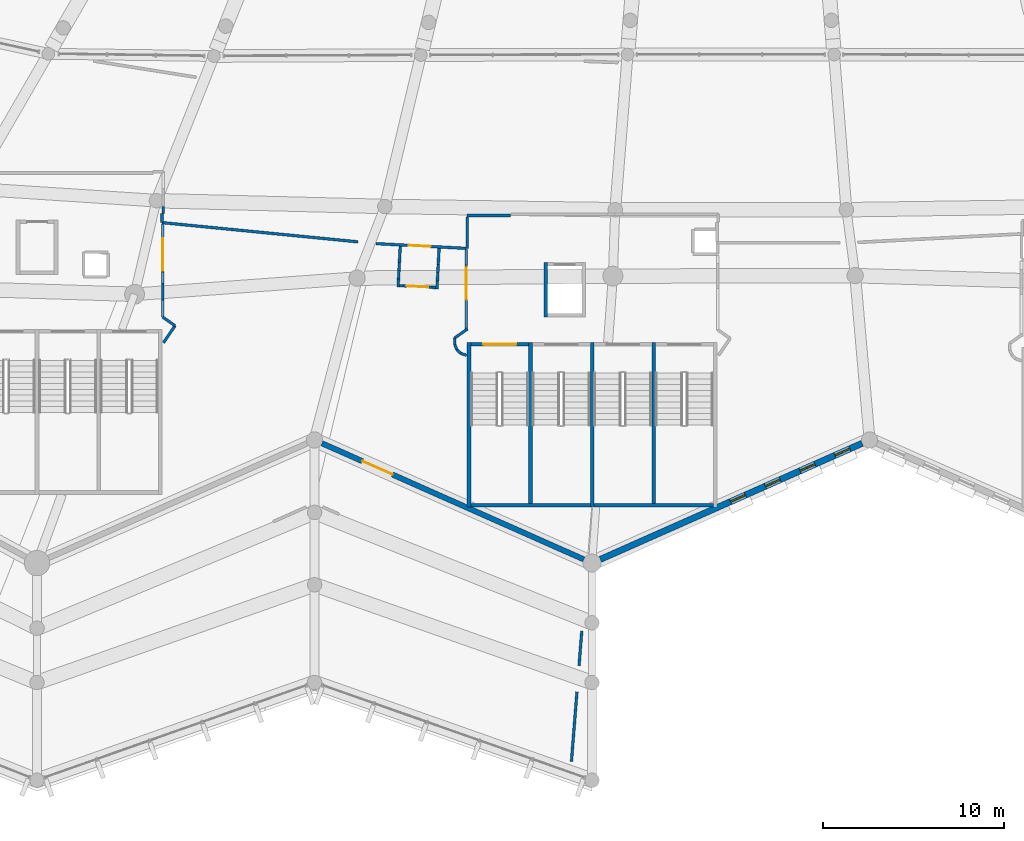
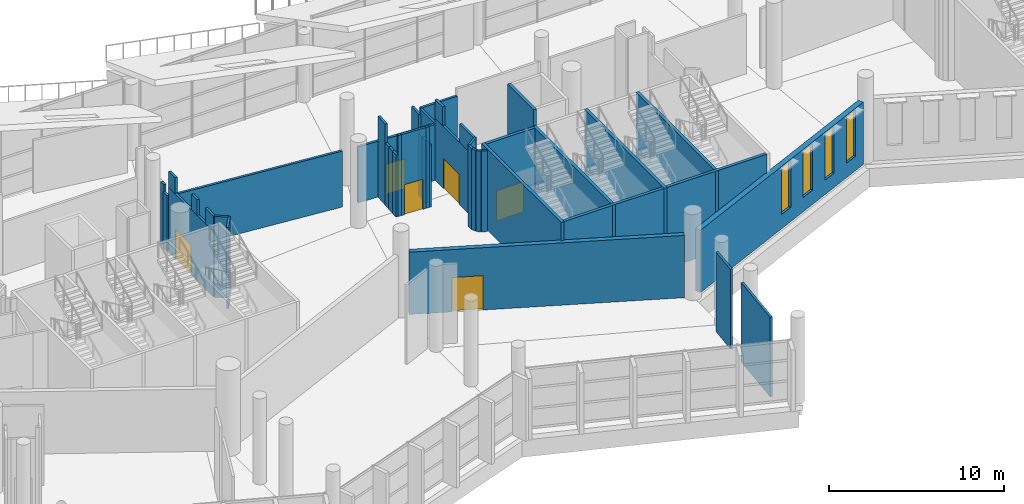
# One storey, part 142 of 249: 43 walls, 6 doors, 4 windows, 10 openings.
"""IFC4 building model written with IfcOpenShell, lengths in metres."""

import ifcopenshell
import ifcopenshell.guid

model = None  # the IFC model being written
_history = None  # IfcOwnerHistory: only IFC2X3 demands one
_inside = {}  # id of a spatial element -> (the spatial element, [elements in it])
_under = {}  # id of a project, library or spatial element -> (it, [spatial elements below it])
_declared = {}  # id of a project -> (the project, [libraries it declares])
_typed = {}  # id of a type object -> (the type object, [elements of that type])
_made_of = {}  # id of a material, layer set ... -> (it, [elements and type objects made of it])


def new_model(schema):
    """Start an empty IFC model of exactly this schema.

    Asked for "IFC4X3", IfcOpenShell would pick the latest addendum, in which some entities
    have other attributes; the version numbers below select the first issue.
    IFC2X3 requires an IfcOwnerHistory on every rooted entity: one is made here for all.
    """
    global model, _history
    if schema == "IFC4X3":
        model = ifcopenshell.file(schema_version=(4, 3, 0, 0))
    else:
        model = ifcopenshell.file(schema=schema)
    _inside.clear()
    _under.clear()
    _declared.clear()
    _typed.clear()
    _made_of.clear()
    _history = None
    if model.schema == "IFC2X3":
        org = make("IfcOrganization", Name="unknown")
        user = make(
            "IfcPersonAndOrganization",
            ThePerson=make("IfcPerson", FamilyName="unknown"),
            TheOrganization=org,
        )
        app = make(
            "IfcApplication",
            ApplicationDeveloper=org,
            Version="unknown",
            ApplicationFullName="unknown",
            ApplicationIdentifier="unknown",
        )
        _history = make(
            "IfcOwnerHistory",
            OwningUser=user,
            OwningApplication=app,
            ChangeAction="ADDED",
            CreationDate=0,
        )
    return model


def make(cls, **values):
    """One entity of the class cls with the attributes given. An attribute that is None is left unset."""
    return model.create_entity(
        cls, **{name: value for name, value in values.items() if value is not None}
    )


def rooted(cls, **values):
    """An entity with a GlobalId (a new one), such as an element, a storey or a relation."""
    return make(cls, GlobalId=ifcopenshell.guid.new(), OwnerHistory=_history, **values)


def si_unit(unit_type, name, prefix=None):
    """IfcSIUnit, for example si_unit("LENGTHUNIT", "METRE", prefix="MILLI")."""
    return make("IfcSIUnit", UnitType=unit_type, Prefix=prefix, Name=name)


def assignment(units):
    """IfcUnitAssignment: the units of a project."""
    return None if units is None else make("IfcUnitAssignment", Units=units)


def point(xyz):
    """IfcCartesianPoint."""
    return None if xyz is None else make("IfcCartesianPoint", Coordinates=xyz)


def direction(xyz):
    """IfcDirection."""
    return None if xyz is None else make("IfcDirection", DirectionRatios=xyz)


def frame(location, z_axis=None, x_axis=None):
    """IfcAxis2Placement3D, a coordinate frame: its origin and axes. An axis left out is left unset."""
    return make(
        "IfcAxis2Placement3D",
        Location=point(location),
        Axis=direction(z_axis),
        RefDirection=direction(x_axis),
    )


def frame_2d(location, x_axis=None):
    """IfcAxis2Placement2D, a coordinate frame in the plane: its origin and x axis."""
    return make(
        "IfcAxis2Placement2D", Location=point(location), RefDirection=direction(x_axis)
    )


def origin():
    """The frame at (0, 0, 0) with its axes left unset."""
    return frame((0.0, 0.0, 0.0))


def place(relative_to, where):
    """IfcLocalPlacement: puts the frame where relative to a parent placement (None: the world)."""
    return make(
        "IfcLocalPlacement", PlacementRelTo=relative_to, RelativePlacement=where
    )


def context(
    kind, dimensions, precision=None, world=None, true_north=None, identifier=None
):
    """IfcGeometricRepresentationContext, for example the 3D "Model" context."""
    return make(
        "IfcGeometricRepresentationContext",
        ContextIdentifier=identifier,
        ContextType=kind,
        CoordinateSpaceDimension=dimensions,
        Precision=precision,
        WorldCoordinateSystem=world,
        TrueNorth=true_north,
    )


def subcontext(parent, identifier, kind, view, scale=None):
    """IfcGeometricRepresentationSubContext, for example "Body" below "Model"."""
    return make(
        "IfcGeometricRepresentationSubContext",
        ContextIdentifier=identifier,
        ContextType=kind,
        ParentContext=parent,
        TargetScale=scale,
        TargetView=view,
    )


def project(units=None, contexts=None):
    """IfcProject with its units and contexts."""
    return rooted(
        "IfcProject",
        Name="project",
        RepresentationContexts=contexts,
        UnitsInContext=assignment(units),
    )


def spatial(cls, under=None, at=None, **own):
    """A site, building, storey or space (cls), placed at a placement, below another one or the project."""
    s = rooted(cls, ObjectPlacement=at, **own)
    if under is not None:
        _under.setdefault(under.id(), (under, []))[1].append(s)
    return s


def profile(cls, at=None, kind="AREA", **sizes):
    """A parametric profile (cls). Its sizes go by their IFC names, for example OverallWidth=200.0."""
    return make(cls, ProfileType=kind, Position=at, **sizes)


def rectangle(**sizes):
    """IfcRectangleProfileDef."""
    return profile("IfcRectangleProfileDef", **sizes)


def extrude(swept, where, along, depth):
    """IfcExtrudedAreaSolid: the profile swept, set in the frame where, extruded along a direction by depth."""
    return make(
        "IfcExtrudedAreaSolid",
        SweptArea=swept,
        Position=where,
        ExtrudedDirection=direction(along),
        Depth=depth,
    )


def shape(context_of_items, identifier, shape_type, items):
    """IfcShapeRepresentation: the items that make up one representation, for example the "Body"."""
    return make(
        "IfcShapeRepresentation",
        ContextOfItems=context_of_items,
        RepresentationIdentifier=identifier,
        RepresentationType=shape_type,
        Items=items,
    )


def material(Name=None, Category=None):
    """IfcMaterial."""
    return make("IfcMaterial", Name=Name, Category=Category)


def layer(
    of_material, thickness, ventilated=None, Name=None, Category=None, Priority=None
):
    """IfcMaterialLayer: one layer of a wall or slab, of a material (None: an air gap)."""
    return make(
        "IfcMaterialLayer",
        Material=of_material,
        LayerThickness=thickness,
        IsVentilated=ventilated,
        Name=Name,
        Category=Category,
        Priority=Priority,
    )


def layer_set(layers, Name=None):
    """IfcMaterialLayerSet."""
    return make("IfcMaterialLayerSet", MaterialLayers=layers, LayerSetName=Name)


def made_of(thing, what):
    """Note that an element or type object is made of a material, layer set ...; save() writes the relation."""
    if what is not None:
        _made_of.setdefault(what.id(), (what, []))[1].append(thing)
    return thing


def type_object(cls, material=None, **own):
    """A type object (cls), such as IfcWallType, which elements share."""
    return made_of(rooted(cls, **own), material)


def element(
    cls,
    number,
    at=None,
    inside=None,
    cuts=None,
    type_object=None,
    material=None,
    context=None,
    identifier="Body",
    shape_type=None,
    held_by="IfcProductDefinitionShape",
    body=None,
    shapes=None,
    **own,
):
    """One element of the class cls, such as IfcWall. Its Tag is "e" and its number.

    at: its placement. inside: the storey or other place that contains it. cuts: it is an
    opening in that element (IfcRelVoidsElement). A single representation is given by context,
    identifier, shape_type and body (its items); several are given by shapes. held_by: the class
    of the entity that holds the representations. save() writes the other relations.
    """
    e = rooted(cls, Tag="e%d" % number, ObjectPlacement=at, **own)
    if body is not None:
        shapes = [shape(context, identifier, shape_type, body)]
    if shapes is not None:
        e.Representation = make(held_by, Representations=shapes)
    if inside is not None:
        _inside.setdefault(inside.id(), (inside, []))[1].append(e)
    if cuts is not None:
        rooted(
            "IfcRelVoidsElement", RelatingBuildingElement=cuts, RelatedOpeningElement=e
        )
    if type_object is not None:
        _typed.setdefault(type_object.id(), (type_object, []))[1].append(e)
    return made_of(e, material)


def fill(opening, filler):
    """IfcRelFillsElement: the door or window that sits in an opening."""
    return rooted(
        "IfcRelFillsElement",
        RelatingOpeningElement=opening,
        RelatedBuildingElement=filler,
    )


def aggregate(whole, parts):
    """IfcRelAggregates: a whole, such as a stair, and the parts it consists of."""
    return rooted("IfcRelAggregates", RelatingObject=whole, RelatedObjects=parts)


def save(model, path):
    """Write the relations noted so far, then the file.

    IfcRelAggregates (storeys below a building ...), IfcRelContainedInSpatialStructure (elements
    in a storey), IfcRelDefinesByType, IfcRelAssociatesMaterial and IfcRelDeclares: one each for
    every whole, place, type object, material and project.
    """
    for whole, parts in _under.values():
        aggregate(whole, parts)
    for where, things in _inside.values():
        rooted(
            "IfcRelContainedInSpatialStructure",
            RelatedElements=things,
            RelatingStructure=where,
        )
    for kind, things in _typed.values():
        rooted("IfcRelDefinesByType", RelatedObjects=things, RelatingType=kind)
    for what, things in _made_of.values():
        rooted("IfcRelAssociatesMaterial", RelatedObjects=things, RelatingMaterial=what)
    for by, libraries in _declared.values():
        rooted("IfcRelDeclares", RelatingContext=by, RelatedDefinitions=libraries)
    model.write(path)


model = new_model("IFC4")

# Units and contexts
model_context = context("Model", 3, precision=1e-05, world=origin(), true_north=direction((0.0, 1.0)))
body_context = subcontext(model_context, "Body", "Model", "MODEL_VIEW")
ifc_project = project(units=[si_unit("LENGTHUNIT", "METRE"), si_unit("AREAUNIT", "SQUARE_METRE"), si_unit("VOLUMEUNIT", "CUBIC_METRE"), si_unit("PLANEANGLEUNIT", "RADIAN"), si_unit("MASSUNIT", "GRAM", prefix="KILO")], contexts=[model_context])

# Site, building, storey
site_placement = place(None, origin())
site = spatial("IfcSite", under=ifc_project, at=site_placement, CompositionType="ELEMENT")
building_placement = place(site_placement, origin())
building = spatial("IfcBuilding", under=site, at=building_placement, Name="Meseta Stadium", CompositionType="ELEMENT")
storey_placement = place(building_placement, frame((0.0, 0.0, 12.0)))
storey = spatial("IfcBuildingStorey", under=building, at=storey_placement, Name="L02", CompositionType="ELEMENT", Elevation=12.0)

# Walls
ifc_material_1 = material(Name="Concrete C40/50", Category="concrete")
ifc_layer_1 = layer(ifc_material_1, 0.199951171875)
ifc_layer_set_1 = layer_set([ifc_layer_1], Name="Core divider wall 200")
wall_type_1 = type_object("IfcWallType", Name="Core divider wall 200", PredefinedType="SHEAR", material=ifc_layer_set_1)
for number, where, z_axis, x_axis, name in (
    (1, (-11.066650390625, -102.300048828125, 0.0), (0.0, 0.0, 1.0), (0.0, 1.0, 0.0), "Core 24 L02 stair A divider wall"),
    (2, (-4.2666015625, -102.300048828125, 0.0), (0.0, 0.0, 1.0), (0.0, 1.0, 0.0), "Core 24 L02 stair B divider wall"),
):
    element("IfcWall", number, at=place(storey_placement, frame(where, z_axis=z_axis, x_axis=x_axis)), inside=storey, type_object=wall_type_1, Name=name, PredefinedType="SHEAR", context=body_context, shape_type="SweptSolid", body=[
        extrude(rectangle(XDim=9.10009765625, YDim=0.199951171875, at=frame_2d((4.550048828125, 0.0))), origin(), (0.0, 0.0, 1.0), 5.64990234375),
    ])
ifc_material_2 = material(Name="Concrete C40/50", Category="concrete")
ifc_layer_2 = layer(ifc_material_2, 0.199951171875)
ifc_layer_set_2 = layer_set([ifc_layer_2], Name="Core shaft wall 200")
wall_type_2 = type_object("IfcWallType", Name="Core shaft wall 200", PredefinedType="SHEAR", material=ifc_layer_set_2)
for number, where, z_axis, x_axis, name in (
    (3, (-14.466796875, -102.300048828125, 0.0), (0.0, 0.0, 1.0), (0.0, 1.0, 0.0), "Core 24 L02 stair wall A-side"),
    (4, (-7.666748046875, -102.300048828125, 0.0), (0.0, 0.0, 1.0), (0.0, 1.0, 0.0), "Core 24 L02 stair wall shared"),
):
    element("IfcWall", number, at=place(storey_placement, frame(where, z_axis=z_axis, x_axis=x_axis)), inside=storey, type_object=wall_type_2, Name=name, PredefinedType="SHEAR", context=body_context, shape_type="SweptSolid", body=[
        extrude(rectangle(XDim=9.10009765625, YDim=0.199951171875, at=frame_2d((4.550048828125, 0.0))), origin(), (0.0, 0.0, 1.0), 5.64990234375),
    ])
wall_1_placement = place(storey_placement, frame((-14.36669921875, -102.199951171875, 0.0), z_axis=(0.0, 0.0, 1.0), x_axis=(1.0, 0.0, 0.0)))
element("IfcWall", 5, at=wall_1_placement, inside=storey, type_object=wall_type_2, Name="Core 24 L02 stair A outer end wall", PredefinedType="SHEAR", context=body_context, shape_type="SweptSolid", body=[
    extrude(rectangle(XDim=6.60009765625, YDim=0.199951171875, at=frame_2d((3.300048828125, 0.0))), origin(), (0.0, 0.0, 1.0), 5.64990234375),
])
wall_2_placement = place(storey_placement, frame((-7.566650390625, -102.199951171875, 0.0), z_axis=(0.0, 0.0, 1.0), x_axis=(1.0, 0.0, 0.0)))
element("IfcWall", 6, at=wall_2_placement, inside=storey, type_object=wall_type_2, Name="Core 24 L02 stair B outer end wall", PredefinedType="SHEAR", context=body_context, shape_type="SweptSolid", body=[
    extrude(rectangle(XDim=6.599853515625, YDim=0.199951171875, at=frame_2d((3.2998046875, 0.0))), origin(), (0.0, 0.0, 1.0), 5.64990234375),
])

# Wall, opening, door
wall_3_placement = place(storey_placement, frame((-14.36669921875, -93.300048828125, 0.0), z_axis=(0.0, 0.0, 1.0), x_axis=(1.0, 0.0, 0.0)))
wall_3 = element("IfcWall", 7, at=wall_3_placement, inside=storey, type_object=wall_type_2, Name="Core 24 L02 stair A1 inner end wall", PredefinedType="SHEAR", context=body_context, shape_type="SweptSolid", body=[
    extrude(rectangle(XDim=3.199951171875, YDim=0.199951171875, at=frame_2d((1.60009765625, 0.0))), origin(), (0.0, 0.0, 1.0), 5.64990234375),
])
opening_1_placement = place(wall_3_placement, frame((0.699951171875, 0.0, 0.0)))
opening_1 = element("IfcOpeningElement", 8, at=opening_1_placement, cuts=wall_3, Name="Opening D1118", PredefinedType="OPENING", context=body_context, shape_type="SweptSolid", body=[
    extrude(rectangle(XDim=1.800048828125, YDim=2.10009765625, at=frame_2d((0.89990234375, 1.050048828125))), frame((0.0, 0.10986328125, 0.0), z_axis=(0.0, -1.0, 0.0), x_axis=(1.0, 0.0, 0.0)), (0.0, 0.0, 1.0), 0.219970703125),
])
ifc_material_3 = material(Name="Steel", Category="steel")
door_type_1 = type_object("IfcDoorType", Name="Stair door 1800x2100", OperationType="DOUBLE_DOOR_SINGLE_SWING", PredefinedType="DOOR", material=ifc_material_3)
door_1_placement = place(opening_1_placement, origin())
door_1 = element("IfcDoor", 9, at=door_1_placement, inside=storey, type_object=door_type_1, Name="Stair A1 door 24 L02", OperationType="DOUBLE_DOOR_SINGLE_SWING", OverallHeight=2.10009765625, OverallWidth=1.800048828125, PredefinedType="DOOR", context=body_context, shape_type="SweptSolid", body=[
    extrude(rectangle(XDim=1.800048828125, YDim=2.10009765625, at=frame_2d((0.89990234375, 1.050048828125))), frame((0.0, 0.02490234375, 0.0), z_axis=(0.0, -1.0, 0.0), x_axis=(1.0, 0.0, 0.0)), (0.0, 0.0, 1.0), 0.050048828125),
])
fill(opening_1, door_1)

# Walls
wall_4_placement = place(storey_placement, frame((-10.216796875, -91.800048828125, 0.0), z_axis=(0.0, 0.0, 1.0), x_axis=(0.0, 1.0, 0.0)))
element("IfcWall", 10, at=wall_4_placement, inside=storey, type_object=wall_type_2, Name="Core 24 L02 lift shaft wall left", PredefinedType="SHEAR", context=body_context, shape_type="SweptSolid", body=[
    extrude(rectangle(XDim=3.0, YDim=0.199951171875, at=frame_2d((1.5, 0.0))), origin(), (0.0, 0.0, 1.0), 5.64990234375),
])
ifc_material_4 = material(Name="Masonry blockwork", Category="masonry")
ifc_layer_3 = layer(ifc_material_4, 0.14990234375)
ifc_layer_set_3 = layer_set([ifc_layer_3], Name="Partition 150")
wall_type_3 = type_object("IfcWallType", Name="Partition 150", PredefinedType="PARTITIONING", material=ifc_layer_set_3)
wall_5_placement = place(storey_placement, frame((-12.16845703125, -86.199951171875, 0.0), z_axis=(0.0, 0.0, 1.0), x_axis=(-1.0, 0.0, 0.0)))
element("IfcWall", 11, at=wall_5_placement, inside=storey, type_object=wall_type_3, Name="Partition L02 L02-cell22-0-0", PredefinedType="PARTITIONING", context=body_context, shape_type="SweptSolid", body=[
    extrude(rectangle(XDim=2.398193359375, YDim=0.14990234375, at=frame_2d((1.19921875, 0.0))), origin(), (0.0, 0.0, 1.0), 3.906982421875),
])
wall_6_placement = place(storey_placement, frame((-14.566650390625, -86.27490234375, 0.0), z_axis=(0.0, 0.0, 1.0), x_axis=(0.0, -1.0, 0.0)))
element("IfcWall", 12, at=wall_6_placement, inside=storey, type_object=wall_type_3, Name="Partition L02 L02-cell22-0-0", PredefinedType="PARTITIONING", context=body_context, shape_type="SweptSolid", body=[
    extrude(rectangle(XDim=1.740966796875, YDim=0.14990234375, at=frame_2d((0.87060546875, 0.0))), origin(), (0.0, 0.0, 1.0), 3.906982421875),
])

# Wall, opening, door
wall_7_placement = place(storey_placement, frame((-14.6416015625, -88.01171875, 0.0), z_axis=(0.0, 0.0, 1.0), x_axis=(-0.998613893233, 0.052633565738, 0.0)))
wall_7 = element("IfcWall", 13, at=wall_7_placement, inside=storey, type_object=wall_type_3, Name="Partition L02 L02-cell22-0-0", PredefinedType="PARTITIONING", context=body_context, shape_type="SweptSolid", body=[
    extrude(rectangle(XDim=4.972412109375, YDim=0.14990234375, at=frame_2d((2.486328125, 0.0))), origin(), (0.0, 0.0, 1.0), 3.906982421875),
])
opening_2_placement = place(wall_7_placement, frame((1.949951171875, 0.0, 0.0)))
opening_2 = element("IfcOpeningElement", 14, at=opening_2_placement, cuts=wall_7, Name="Opening D1116", PredefinedType="OPENING", context=body_context, shape_type="SweptSolid", body=[
    extrude(rectangle(XDim=1.199951171875, YDim=2.10009765625, at=frame_2d((0.60009765625, 1.050048828125))), frame((0.0, 0.0849609375, 0.0), z_axis=(0.0, -1.0, 0.0), x_axis=(1.0, 0.0, 0.0)), (0.0, 0.0, 1.0), 0.169921875),
])
ifc_material_5 = material(Name="Steel", Category="steel")
door_type_2 = type_object("IfcDoorType", Name="Fire door 1200x2100 EI2 60", OperationType="NOTDEFINED", PredefinedType="DOOR", material=ifc_material_5)
door_2_placement = place(opening_2_placement, origin())
door_2 = element("IfcDoor", 15, at=door_2_placement, inside=storey, type_object=door_type_2, Name="Room door L02 L02-cell22-0-0", OperationType="SINGLE_SWING_RIGHT", OverallHeight=2.10009765625, OverallWidth=1.199951171875, PredefinedType="DOOR", context=body_context, shape_type="SweptSolid", body=[
    extrude(rectangle(XDim=1.199951171875, YDim=2.10009765625, at=frame_2d((0.60009765625, 1.050048828125))), frame((0.0, 0.02490234375, 0.0), z_axis=(0.0, -1.0, 0.0), x_axis=(1.0, 0.0, 0.0)), (0.0, 0.0, 1.0), 0.050048828125),
])
fill(opening_2, door_2)

# Walls
wall_8_placement = place(storey_placement, frame((-20.5927734375, -87.6533203125, 0.0), z_axis=(0.0, 0.0, 1.0), x_axis=(-0.995211610703, 0.097743797362, 0.0)))
element("IfcWall", 16, at=wall_8_placement, inside=storey, type_object=wall_type_3, Name="Partition L02 L02-cell22-0-0", PredefinedType="PARTITIONING", context=body_context, shape_type="SweptSolid", body=[
    extrude(rectangle(XDim=10.892822265625, YDim=0.14990234375, at=frame_2d((5.4462890625, 0.0))), origin(), (0.0, 0.0, 1.0), 3.906982421875),
])
wall_9_placement = place(storey_placement, frame((-31.433349609375, -86.588623046875, 0.0), z_axis=(0.0, 0.0, 1.0), x_axis=(0.0, 1.0, 0.0)))
element("IfcWall", 17, at=wall_9_placement, inside=storey, type_object=wall_type_3, Name="Partition L02 L02-cell22-0-0", PredefinedType="PARTITIONING", context=body_context, shape_type="SweptSolid", body=[
    extrude(rectangle(XDim=0.48974609375, YDim=0.14990234375, at=frame_2d((0.244873046875, 0.0))), origin(), (0.0, 0.0, 1.0), 3.906982421875),
])
wall_10_placement = place(storey_placement, frame((-8.23388671875, -109.147216796875, 0.0), z_axis=(0.0, 0.0, 1.0), x_axis=(-0.079152200881, -0.996862542729, 0.0)))
element("IfcWall", 18, at=wall_10_placement, inside=storey, type_object=wall_type_3, Name="Partition L02 L02-ring22-0", PredefinedType="PARTITIONING", context=body_context, shape_type="SweptSolid", body=[
    extrude(rectangle(XDim=1.930908203125, YDim=0.14990234375, at=frame_2d((0.96533203125, 0.0))), origin(), (0.0, 0.0, 1.0), 5.550048828125),
])
wall_11_placement = place(storey_placement, frame((-8.501220703125, -112.515625, 0.0), z_axis=(0.0, 0.0, 1.0), x_axis=(-0.079152200881, -0.996862542729, 0.0)))
element("IfcWall", 19, at=wall_11_placement, inside=storey, type_object=wall_type_3, Name="Partition L02 L02-ring22-0", PredefinedType="PARTITIONING", context=body_context, shape_type="SweptSolid", body=[
    extrude(rectangle(XDim=3.86181640625, YDim=0.14990234375, at=frame_2d((1.930908203125, 0.0))), origin(), (0.0, 0.0, 1.0), 5.550048828125),
])
wall_12_placement = place(storey_placement, frame((-31.34375, -93.2197265625, 0.0), z_axis=(0.0, 0.0, 1.0), x_axis=(0.562120553728, 0.827055308354, 0.0)))
element("IfcWall", 20, at=wall_12_placement, inside=storey, type_object=wall_type_3, Name="Stair vestibule wall L02 core 23", PredefinedType="PARTITIONING", context=body_context, shape_type="SweptSolid", body=[
    extrude(rectangle(XDim=1.1279296875, YDim=0.14990234375, at=frame_2d((0.56396484375, 0.0))), origin(), (0.0, 0.0, 1.0), 5.64990234375),
])
wall_13_placement = place(storey_placement, frame((-30.709716796875, -92.286865234375, 0.0), z_axis=(0.0, 0.0, 1.0), x_axis=(-0.81774999294, 0.575573582652, 0.0)))
element("IfcWall", 21, at=wall_13_placement, inside=storey, type_object=wall_type_3, Name="Stair vestibule wall L02 core 23", PredefinedType="PARTITIONING", context=body_context, shape_type="SweptSolid", body=[
    extrude(rectangle(XDim=0.82958984375, YDim=0.14990234375, at=frame_2d((0.414794921875, 0.0))), origin(), (0.0, 0.0, 1.0), 5.64990234375),
])

# Wall, opening, door
wall_14_placement = place(storey_placement, frame((-31.38818359375, -91.809326171875, 0.0), z_axis=(0.0, 0.0, 1.0), x_axis=(0.0, 1.0, 0.0)))
wall_14 = element("IfcWall", 22, at=wall_14_placement, inside=storey, type_object=wall_type_3, Name="Stair vestibule wall L02 core 23", PredefinedType="PARTITIONING", context=body_context, shape_type="SweptSolid", body=[
    extrude(rectangle(XDim=5.132568359375, YDim=0.14990234375, at=frame_2d((2.56640625, 0.0))), origin(), (0.0, 0.0, 1.0), 4.550048828125),
])
opening_3_placement = place(wall_14_placement, frame((2.550048828125, 0.0, 0.0)))
opening_3 = element("IfcOpeningElement", 23, at=opening_3_placement, cuts=wall_14, Name="Opening D1106", PredefinedType="OPENING", context=body_context, shape_type="SweptSolid", body=[
    extrude(rectangle(XDim=1.800048828125, YDim=2.10009765625, at=frame_2d((0.89990234375, 1.050048828125))), frame((0.0, 0.0849609375, 0.0), z_axis=(0.0, -1.0, 0.0), x_axis=(1.0, 0.0, 0.0)), (0.0, 0.0, 1.0), 0.169921875),
])
ifc_material_6 = material(Name="Steel", Category="steel")
door_type_3 = type_object("IfcDoorType", Name="Fire double door 1800x2100 EI2 60", OperationType="DOUBLE_DOOR_SINGLE_SWING", PredefinedType="DOOR", material=ifc_material_6)
door_3_placement = place(opening_3_placement, origin())
door_3 = element("IfcDoor", 24, at=door_3_placement, inside=storey, type_object=door_type_3, Name="Stair vestibule door L02 core 23", OperationType="DOUBLE_DOOR_SINGLE_SWING", OverallHeight=2.10009765625, OverallWidth=1.800048828125, PredefinedType="DOOR", context=body_context, shape_type="SweptSolid", body=[
    extrude(rectangle(XDim=1.800048828125, YDim=2.10009765625, at=frame_2d((0.89990234375, 1.050048828125))), frame((0.0, 0.02490234375, 0.0), z_axis=(0.0, -1.0, 0.0), x_axis=(1.0, 0.0, 0.0)), (0.0, 0.0, 1.0), 0.050048828125),
])
fill(opening_3, door_3)

# Walls
wall_15_placement = place(storey_placement, frame((-31.38818359375, -91.809326171875, 4.550048828125), z_axis=(0.0, 0.0, 1.0), x_axis=(0.0, 1.0, 0.0)))
element("IfcWall", 25, at=wall_15_placement, inside=storey, type_object=wall_type_3, Name="Stair vestibule wall L02 core 23", PredefinedType="PARTITIONING", context=body_context, shape_type="SweptSolid", body=[
    extrude(rectangle(XDim=0.934814453125, YDim=0.14990234375, at=frame_2d((0.46728515625, 0.0))), origin(), (0.0, 0.0, 1.0), 1.099853515625),
])
wall_16_placement = place(storey_placement, frame((-31.38818359375, -89.939697265625, 4.550048828125), z_axis=(0.0, 0.0, 1.0), x_axis=(0.0, 1.0, 0.0)))
element("IfcWall", 26, at=wall_16_placement, inside=storey, type_object=wall_type_3, Name="Stair vestibule wall L02 core 23", PredefinedType="PARTITIONING", context=body_context, shape_type="SweptSolid", body=[
    extrude(rectangle(XDim=0.63037109375, YDim=0.14990234375, at=frame_2d((0.315185546875, 0.0))), origin(), (0.0, 0.0, 1.0), 1.099853515625),
])
wall_17_placement = place(storey_placement, frame((-31.3583984375, -86.0888671875, 0.0), z_axis=(0.0, 0.0, 1.0), x_axis=(0.0, 1.0, 0.0)))
element("IfcWall", 27, at=wall_17_placement, inside=storey, type_object=wall_type_3, Name="Stair vestibule wall L02 core 23", PredefinedType="PARTITIONING", context=body_context, shape_type="SweptSolid", body=[
    extrude(rectangle(XDim=0.379638671875, YDim=0.14990234375, at=frame_2d((0.18994140625, 0.0))), origin(), (0.0, 0.0, 1.0), 4.35009765625),
])
wall_18_placement = place(storey_placement, frame((-14.547119140625, -92.4638671875, 0.0), z_axis=(0.0, 0.0, 1.0), x_axis=(-0.817670329912, -0.57568674779, 0.0)))
element("IfcWall", 28, at=wall_18_placement, inside=storey, type_object=wall_type_3, Name="Stair vestibule wall L02 core 24", PredefinedType="PARTITIONING", context=body_context, shape_type="SweptSolid", body=[
    extrude(rectangle(XDim=0.875732421875, YDim=0.14990234375, at=frame_2d((0.43798828125, 0.0))), origin(), (0.0, 0.0, 1.0), 5.64990234375),
])
wall_19_placement = place(storey_placement, frame((-15.26318359375, -92.968017578125, 0.0), z_axis=(0.0, 0.0, 1.0), x_axis=(0.039007374993, -0.999238922729, 0.0)))
element("IfcWall", 29, at=wall_19_placement, inside=storey, type_object=wall_type_3, Name="Stair vestibule wall L02 core 24", PredefinedType="PARTITIONING", context=body_context, shape_type="SweptSolid", body=[
    extrude(rectangle(XDim=0.37548828125, YDim=0.14990234375, at=frame_2d((0.187744140625, 0.0))), origin(), (0.0, 0.0, 1.0), 5.64990234375),
])
wall_20_placement = place(storey_placement, frame((-15.24853515625, -93.34326171875, 0.0), z_axis=(0.0, 0.0, 1.0), x_axis=(0.382275228123, -0.924048510611, 0.0)))
element("IfcWall", 30, at=wall_20_placement, inside=storey, type_object=wall_type_3, Name="Stair vestibule wall L02 core 24", PredefinedType="PARTITIONING", context=body_context, shape_type="SweptSolid", body=[
    extrude(rectangle(XDim=0.28173828125, YDim=0.14990234375, at=frame_2d((0.140869140625, 0.0))), origin(), (0.0, 0.0, 1.0), 5.64990234375),
])
wall_21_placement = place(storey_placement, frame((-15.140869140625, -93.603515625, 0.0), z_axis=(0.0, 0.0, 1.0), x_axis=(0.707106781187, -0.707106781187, 0.0)))
element("IfcWall", 31, at=wall_21_placement, inside=storey, type_object=wall_type_3, Name="Stair vestibule wall L02 core 24", PredefinedType="PARTITIONING", context=body_context, shape_type="SweptSolid", body=[
    extrude(rectangle(XDim=0.28515625, YDim=0.14990234375, at=frame_2d((0.142578125, 0.0))), origin(), (0.0, 0.0, 1.0), 5.64990234375),
])
wall_22_placement = place(storey_placement, frame((-14.939208984375, -93.80517578125, 0.0), z_axis=(0.0, 0.0, 1.0), x_axis=(0.937897537761, -0.346912393353, 0.0)))
element("IfcWall", 32, at=wall_22_placement, inside=storey, type_object=wall_type_3, Name="Stair vestibule wall L02 core 24", PredefinedType="PARTITIONING", context=body_context, shape_type="SweptSolid", body=[
    extrude(rectangle(XDim=0.356201171875, YDim=0.14990234375, at=frame_2d((0.17822265625, 0.0))), origin(), (0.0, 0.0, 1.0), 5.64990234375),
])

# Wall, opening, door
wall_23_placement = place(storey_placement, frame((-14.61181640625, -88.087646484375, 0.0), z_axis=(0.0, 0.0, 1.0), x_axis=(0.0, -1.0, 0.0)))
wall_23 = element("IfcWall", 33, at=wall_23_placement, inside=storey, type_object=wall_type_3, Name="Stair vestibule wall L02 core 24", PredefinedType="PARTITIONING", context=body_context, shape_type="SweptSolid", body=[
    extrude(rectangle(XDim=4.50048828125, YDim=0.14990234375, at=frame_2d((2.250244140625, 0.0))), origin(), (0.0, 0.0, 1.0), 4.35009765625),
])
opening_4_placement = place(wall_23_placement, frame((0.949951171875, 0.0, 0.0)))
opening_4 = element("IfcOpeningElement", 34, at=opening_4_placement, cuts=wall_23, Name="Opening D1117", PredefinedType="OPENING", context=body_context, shape_type="SweptSolid", body=[
    extrude(rectangle(XDim=1.800048828125, YDim=2.10009765625, at=frame_2d((0.89990234375, 1.050048828125))), frame((0.0, 0.0849609375, 0.0), z_axis=(0.0, -1.0, 0.0), x_axis=(1.0, 0.0, 0.0)), (0.0, 0.0, 1.0), 0.169921875),
])
door_4_placement = place(opening_4_placement, origin())
door_4 = element("IfcDoor", 35, at=door_4_placement, inside=storey, type_object=door_type_3, Name="Stair vestibule door L02 core 24", OperationType="DOUBLE_DOOR_SINGLE_SWING", OverallHeight=2.10009765625, OverallWidth=1.800048828125, PredefinedType="DOOR", context=body_context, shape_type="SweptSolid", body=[
    extrude(rectangle(XDim=1.800048828125, YDim=2.10009765625, at=frame_2d((0.89990234375, 1.050048828125))), frame((0.0, 0.02490234375, 0.0), z_axis=(0.0, -1.0, 0.0), x_axis=(1.0, 0.0, 0.0)), (0.0, 0.0, 1.0), 0.050048828125),
])
fill(opening_4, door_4)

# Walls
wall_24_placement = place(storey_placement, frame((-14.61181640625, -88.087646484375, 4.35009765625), z_axis=(0.0, 0.0, 1.0), x_axis=(0.0, -1.0, 0.0)))
element("IfcWall", 36, at=wall_24_placement, inside=storey, type_object=wall_type_3, Name="Stair vestibule wall L02 core 24", PredefinedType="PARTITIONING", context=body_context, shape_type="SweptSolid", body=[
    extrude(rectangle(XDim=0.8505859375, YDim=0.14990234375, at=frame_2d((0.42529296875, 0.0))), origin(), (0.0, 0.0, 1.0), 1.2998046875),
])
wall_25_placement = place(storey_placement, frame((-14.61181640625, -90.8876953125, 4.35009765625), z_axis=(0.0, 0.0, 1.0), x_axis=(0.0, -1.0, 0.0)))
element("IfcWall", 37, at=wall_25_placement, inside=storey, type_object=wall_type_3, Name="Stair vestibule wall L02 core 24", PredefinedType="PARTITIONING", context=body_context, shape_type="SweptSolid", body=[
    extrude(rectangle(XDim=1.700439453125, YDim=0.14990234375, at=frame_2d((0.85009765625, 0.0))), origin(), (0.0, 0.0, 1.0), 1.2998046875),
])
wall_26_placement = place(storey_placement, frame((-16.11865234375, -88.009033203125, 0.0), z_axis=(0.0, 0.0, 1.0), x_axis=(-0.052630027564, -0.998614079712, 0.0)))
element("IfcWall", 38, at=wall_26_placement, inside=storey, type_object=wall_type_3, Name="Partition L02 L02-cell22-0-0 vestibule", PredefinedType="PARTITIONING", context=body_context, shape_type="SweptSolid", body=[
    extrude(rectangle(XDim=0.89990234375, YDim=0.14990234375, at=frame_2d((0.449951171875, 0.0))), origin(), (0.0, 0.0, 1.0), 5.64990234375),
])
wall_27_placement = place(storey_placement, frame((-16.166015625, -88.90771484375, 0.0), z_axis=(0.0, 0.0, 1.0), x_axis=(-0.052615773272, -0.998614830855, 0.0)))
element("IfcWall", 39, at=wall_27_placement, inside=storey, type_object=wall_type_3, Name="Partition L02 L02-cell22-0-0 vestibule", PredefinedType="PARTITIONING", context=body_context, shape_type="SweptSolid", body=[
    extrude(rectangle(XDim=0.4501953125, YDim=0.14990234375, at=frame_2d((0.22509765625, 0.0))), origin(), (0.0, 0.0, 1.0), 4.35009765625),
])
wall_28_placement = place(storey_placement, frame((-16.189697265625, -89.357177734375, 0.0), z_axis=(0.0, 0.0, 1.0), x_axis=(-0.052644289572, -0.998613327958, 0.0)))
element("IfcWall", 40, at=wall_28_placement, inside=storey, type_object=wall_type_3, Name="Partition L02 L02-cell22-0-0 vestibule", PredefinedType="PARTITIONING", context=body_context, shape_type="SweptSolid", body=[
    extrude(rectangle(XDim=0.449951171875, YDim=0.14990234375, at=frame_2d((0.22509765625, 0.0))), origin(), (0.0, 0.0, 1.0), 4.35009765625),
])
wall_29_placement = place(storey_placement, frame((-16.21337890625, -89.806396484375, 0.0), z_axis=(0.0, 0.0, 1.0), x_axis=(-0.052615773272, -0.998614830855, 0.0)))
element("IfcWall", 41, at=wall_29_placement, inside=storey, type_object=wall_type_3, Name="Partition L02 L02-cell22-0-0 vestibule", PredefinedType="PARTITIONING", context=body_context, shape_type="SweptSolid", body=[
    extrude(rectangle(XDim=0.4501953125, YDim=0.14990234375, at=frame_2d((0.22509765625, 0.0))), origin(), (0.0, 0.0, 1.0), 4.35009765625),
])
wall_30_placement = place(storey_placement, frame((-18.265625, -87.895751953125, 0.0), z_axis=(0.0, 0.0, 1.0), x_axis=(-0.052615773272, -0.998614830855, 0.0)))
element("IfcWall", 42, at=wall_30_placement, inside=storey, type_object=wall_type_3, Name="Partition L02 L02-cell22-0-0 vestibule", PredefinedType="PARTITIONING", context=body_context, shape_type="SweptSolid", body=[
    extrude(rectangle(XDim=0.900146484375, YDim=0.14990234375, at=frame_2d((0.4501953125, 0.0))), origin(), (0.0, 0.0, 1.0), 5.64990234375),
])
wall_31_placement = place(storey_placement, frame((-18.31298828125, -88.794677734375, 0.0), z_axis=(0.0, 0.0, 1.0), x_axis=(-0.052644289572, -0.998613327958, 0.0)))
element("IfcWall", 43, at=wall_31_placement, inside=storey, type_object=wall_type_3, Name="Partition L02 L02-cell22-0-0 vestibule", PredefinedType="PARTITIONING", context=body_context, shape_type="SweptSolid", body=[
    extrude(rectangle(XDim=0.449951171875, YDim=0.14990234375, at=frame_2d((0.22509765625, 0.0))), origin(), (0.0, 0.0, 1.0), 4.35009765625),
])
wall_32_placement = place(storey_placement, frame((-18.336669921875, -89.243896484375, 0.0), z_axis=(0.0, 0.0, 1.0), x_axis=(-0.052615773272, -0.998614830855, 0.0)))
element("IfcWall", 44, at=wall_32_placement, inside=storey, type_object=wall_type_3, Name="Partition L02 L02-cell22-0-0 vestibule", PredefinedType="PARTITIONING", context=body_context, shape_type="SweptSolid", body=[
    extrude(rectangle(XDim=0.4501953125, YDim=0.14990234375, at=frame_2d((0.22509765625, 0.0))), origin(), (0.0, 0.0, 1.0), 4.35009765625),
])
wall_33_placement = place(storey_placement, frame((-18.3603515625, -89.693359375, 0.0), z_axis=(0.0, 0.0, 1.0), x_axis=(-0.052644289572, -0.998613327958, 0.0)))
element("IfcWall", 45, at=wall_33_placement, inside=storey, type_object=wall_type_3, Name="Partition L02 L02-cell22-0-0 vestibule", PredefinedType="PARTITIONING", context=body_context, shape_type="SweptSolid", body=[
    extrude(rectangle(XDim=0.449951171875, YDim=0.14990234375, at=frame_2d((0.22509765625, 0.0))), origin(), (0.0, 0.0, 1.0), 4.35009765625),
])
wall_34_placement = place(storey_placement, frame((-16.30810546875, -90.177001953125, 0.0), z_axis=(0.0, 0.0, 1.0), x_axis=(-0.998621199675, 0.05249475744, 0.0)))
element("IfcWall", 46, at=wall_34_placement, inside=storey, type_object=wall_type_3, Name="Partition L02 L02-cell22-0-0 vestibule", PredefinedType="PARTITIONING", context=body_context, shape_type="SweptSolid", body=[
    extrude(rectangle(XDim=0.199951171875, YDim=0.14990234375, at=frame_2d((0.10009765625, 0.0))), origin(), (0.0, 0.0, 1.0), 5.64990234375),
])

# Wall, opening, door
wall_35_placement = place(storey_placement, frame((-16.5078125, -90.16650390625, 0.0), z_axis=(0.0, 0.0, 1.0), x_axis=(-0.998613188435, 0.052646936126, 0.0)))
wall_35 = element("IfcWall", 47, at=wall_35_placement, inside=storey, type_object=wall_type_3, Name="Partition L02 L02-cell22-0-0 vestibule", PredefinedType="PARTITIONING", context=body_context, shape_type="SweptSolid", body=[
    extrude(rectangle(XDim=1.599853515625, YDim=0.14990234375, at=frame_2d((0.7998046875, 0.0))), origin(), (0.0, 0.0, 1.0), 5.64990234375),
])
opening_5_placement = place(wall_35_placement, frame((0.199951171875, 0.0, 0.0)))
opening_5 = element("IfcOpeningElement", 48, at=opening_5_placement, cuts=wall_35, Name="Opening D1115", PredefinedType="OPENING", context=body_context, shape_type="SweptSolid", body=[
    extrude(rectangle(XDim=1.199951171875, YDim=2.10009765625, at=frame_2d((0.60009765625, 1.050048828125))), frame((0.0, 0.0849609375, 0.0), z_axis=(0.0, -1.0, 0.0), x_axis=(1.0, 0.0, 0.0)), (0.0, 0.0, 1.0), 0.169921875),
])
door_5_placement = place(opening_5_placement, origin())
door_5 = element("IfcDoor", 49, at=door_5_placement, inside=storey, type_object=door_type_2, Name="Vestibule door L02 L02-cell22-0-0", OperationType="SINGLE_SWING_RIGHT", OverallHeight=2.10009765625, OverallWidth=1.199951171875, PredefinedType="DOOR", context=body_context, shape_type="SweptSolid", body=[
    extrude(rectangle(XDim=1.199951171875, YDim=2.10009765625, at=frame_2d((0.60009765625, 1.050048828125))), frame((0.0, 0.02490234375, 0.0), z_axis=(0.0, -1.0, 0.0), x_axis=(1.0, 0.0, 0.0)), (0.0, 0.0, 1.0), 0.050048828125),
])
fill(opening_5, door_5)

# Walls
wall_36_placement = place(storey_placement, frame((-18.10546875, -90.082275390625, 0.0), z_axis=(0.0, 0.0, 1.0), x_axis=(-0.998621199675, 0.05249475744, 0.0)))
element("IfcWall", 50, at=wall_36_placement, inside=storey, type_object=wall_type_3, Name="Partition L02 L02-cell22-0-0 vestibule", PredefinedType="PARTITIONING", context=body_context, shape_type="SweptSolid", body=[
    extrude(rectangle(XDim=0.199951171875, YDim=0.14990234375, at=frame_2d((0.10009765625, 0.0))), origin(), (0.0, 0.0, 1.0), 5.64990234375),
])
wall_37_placement = place(storey_placement, frame((-31.38818359375, -87.4091796875, 4.550048828125), z_axis=(0.0, 0.0, 1.0), x_axis=(0.0, 1.0, 0.0)))
element("IfcWall", 51, at=wall_37_placement, inside=storey, type_object=wall_type_3, Name="Stair vestibule wall L02 core 23", PredefinedType="PARTITIONING", context=body_context, shape_type="SweptSolid", body=[
    extrude(rectangle(XDim=0.732421875, YDim=0.14990234375, at=frame_2d((0.3662109375, 0.0))), origin(), (0.0, 0.0, 1.0), 1.099853515625),
])

# Wall, opening, door
ifc_material_7 = material(Name="White precast concrete C40/50", Category="concrete")
ifc_layer_4 = layer(ifc_material_7, 0.300048828125)
ifc_layer_set_4 = layer_set([ifc_layer_4], Name="Pleated panel wall 300 concourse")
wall_type_4 = type_object("IfcWallType", Name="Pleated panel wall 300 concourse", PredefinedType="SOLIDWALL", material=ifc_layer_set_4)
wall_38_placement = place(storey_placement, frame((-8.123291015625, -105.197509765625, 0.0), z_axis=(0.0, 0.0, 1.0), x_axis=(-0.914138897099, 0.405401130748, 0.0)))
wall_38 = element("IfcWall", 52, at=wall_38_placement, inside=storey, type_object=wall_type_4, Name="Pleated facade panel L02 F45", PredefinedType="SOLIDWALL", context=body_context, shape_type="SweptSolid", body=[
    extrude(rectangle(XDim=15.824462890625, YDim=0.300048828125, at=frame_2d((7.912109375, 0.0))), origin(), (0.0, 0.0, 1.0), 4.35009765625),
])
opening_6_placement = place(wall_38_placement, frame((11.573974609375, 0.0, 0.0)))
opening_6 = element("IfcOpeningElement", 53, at=opening_6_placement, cuts=wall_38, Name="Opening D1112", PredefinedType="OPENING", context=body_context, shape_type="SweptSolid", body=[
    extrude(rectangle(XDim=1.800048828125, YDim=2.39990234375, at=frame_2d((0.89990234375, 1.199951171875))), frame((0.0, 0.159912109375, 0.0), z_axis=(0.0, -1.0, 0.0), x_axis=(1.0, 0.0, 0.0)), (0.0, 0.0, 1.0), 0.320068359375),
])
ifc_material_8 = material(Name="Steel", Category="steel")
door_type_4 = type_object("IfcDoorType", Name="Concourse double door 1800x2400", OperationType="DOUBLE_DOOR_SINGLE_SWING", PredefinedType="DOOR", material=ifc_material_8)
door_6_placement = place(opening_6_placement, origin())
door_6 = element("IfcDoor", 54, at=door_6_placement, inside=storey, type_object=door_type_4, Name="Concourse door", OperationType="DOUBLE_DOOR_SINGLE_SWING", OverallHeight=2.39990234375, OverallWidth=1.800048828125, PredefinedType="DOOR", context=body_context, shape_type="SweptSolid", body=[
    extrude(rectangle(XDim=1.800048828125, YDim=2.39990234375, at=frame_2d((0.89990234375, 1.199951171875))), frame((0.0, 0.02490234375, 0.0), z_axis=(0.0, -1.0, 0.0), x_axis=(1.0, 0.0, 0.0)), (0.0, 0.0, 1.0), 0.050048828125),
])
fill(opening_6, door_6)

# Wall, openings, windows
ifc_material_9 = material(Name="White precast concrete C40/50", Category="concrete")
ifc_layer_5 = layer(ifc_material_9, 0.35009765625)
ifc_layer_set_5 = layer_set([ifc_layer_5], Name="Pleated panel wall 350 gate")
wall_type_5 = type_object("IfcWallType", Name="Pleated panel wall 350 gate", PredefinedType="SOLIDWALL", material=ifc_layer_set_5)
wall_39_placement = place(storey_placement, frame((7.255615234375, -98.7822265625, 0.0), z_axis=(0.0, 0.0, 1.0), x_axis=(-0.914136361455, -0.405406848322, 0.0)))
wall_39 = element("IfcWall", 55, at=wall_39_placement, inside=storey, type_object=wall_type_5, Name="Pleated facade panel L02 F46", PredefinedType="SOLIDWALL", context=body_context, shape_type="SweptSolid", body=[
    extrude(rectangle(XDim=15.82421875, YDim=0.35009765625, at=frame_2d((7.912109375, 0.0))), origin(), (0.0, 0.0, 1.0), 4.35009765625),
])
opening_7_placement = place(wall_39_placement, frame((0.75048828125, 0.0, 1.0)))
opening_7 = element("IfcOpeningElement", 56, at=opening_7_placement, cuts=wall_39, Name="Opening W026", PredefinedType="OPENING", context=body_context, shape_type="SweptSolid", body=[
    extrude(rectangle(XDim=0.89990234375, YDim=3.25, at=frame_2d((0.449951171875, 1.625))), frame((0.0, 0.18505859375, 0.0), z_axis=(0.0, -1.0, 0.0), x_axis=(1.0, 0.0, 0.0)), (0.0, 0.0, 1.0), 0.3701171875),
])
opening_8_placement = place(wall_39_placement, frame((2.850341796875, 0.0, 1.0)))
opening_8 = element("IfcOpeningElement", 57, at=opening_8_placement, cuts=wall_39, Name="Opening W025", PredefinedType="OPENING", context=body_context, shape_type="SweptSolid", body=[
    extrude(rectangle(XDim=0.89990234375, YDim=3.25, at=frame_2d((0.449951171875, 1.625))), frame((0.0, 0.18505859375, 0.0), z_axis=(0.0, -1.0, 0.0), x_axis=(1.0, 0.0, 0.0)), (0.0, 0.0, 1.0), 0.3701171875),
])
opening_9_placement = place(wall_39_placement, frame((4.950439453125, 0.0, 1.0)))
opening_9 = element("IfcOpeningElement", 58, at=opening_9_placement, cuts=wall_39, Name="Opening W024", PredefinedType="OPENING", context=body_context, shape_type="SweptSolid", body=[
    extrude(rectangle(XDim=0.89990234375, YDim=3.25, at=frame_2d((0.449951171875, 1.625))), frame((0.0, 0.18505859375, 0.0), z_axis=(0.0, -1.0, 0.0), x_axis=(1.0, 0.0, 0.0)), (0.0, 0.0, 1.0), 0.3701171875),
])
opening_10_placement = place(wall_39_placement, frame((7.05029296875, 0.0, 1.0)))
opening_10 = element("IfcOpeningElement", 59, at=opening_10_placement, cuts=wall_39, Name="Opening W023", PredefinedType="OPENING", context=body_context, shape_type="SweptSolid", body=[
    extrude(rectangle(XDim=0.89990234375, YDim=3.25, at=frame_2d((0.449951171875, 1.625))), frame((0.0, 0.18505859375, 0.0), z_axis=(0.0, -1.0, 0.0), x_axis=(1.0, 0.0, 0.0)), (0.0, 0.0, 1.0), 0.3701171875),
])
ifc_material_10 = material(Name="Aluminium", Category="aluminium")
window_type = type_object("IfcWindowType", Name="Slot window 900x3250", PartitioningType="SINGLE_PANEL", PredefinedType="WINDOW", material=ifc_material_10)
window_1_placement = place(opening_7_placement, origin())
window_1 = element("IfcWindow", 60, at=window_1_placement, inside=storey, type_object=window_type, Name="Slot window L02 F46.1", OverallHeight=3.25, OverallWidth=0.89990234375, PartitioningType="SINGLE_PANEL", PredefinedType="WINDOW", context=body_context, shape_type="SweptSolid", body=[
    extrude(rectangle(XDim=0.89990234375, YDim=3.25, at=frame_2d((0.449951171875, 1.625))), frame((0.0, 0.030029296875, 0.0), z_axis=(0.0, -1.0, 0.0), x_axis=(1.0, 0.0, 0.0)), (0.0, 0.0, 1.0), 0.06005859375),
])
fill(opening_7, window_1)
window_2_placement = place(opening_8_placement, origin())
window_2 = element("IfcWindow", 61, at=window_2_placement, inside=storey, type_object=window_type, Name="Slot window L02 F46.2", OverallHeight=3.25, OverallWidth=0.89990234375, PartitioningType="SINGLE_PANEL", PredefinedType="WINDOW", context=body_context, shape_type="SweptSolid", body=[
    extrude(rectangle(XDim=0.89990234375, YDim=3.25, at=frame_2d((0.449951171875, 1.625))), frame((0.0, 0.030029296875, 0.0), z_axis=(0.0, -1.0, 0.0), x_axis=(1.0, 0.0, 0.0)), (0.0, 0.0, 1.0), 0.06005859375),
])
fill(opening_8, window_2)
window_3_placement = place(opening_9_placement, origin())
window_3 = element("IfcWindow", 62, at=window_3_placement, inside=storey, type_object=window_type, Name="Slot window L02 F46.3", OverallHeight=3.25, OverallWidth=0.89990234375, PartitioningType="SINGLE_PANEL", PredefinedType="WINDOW", context=body_context, shape_type="SweptSolid", body=[
    extrude(rectangle(XDim=0.89990234375, YDim=3.25, at=frame_2d((0.449951171875, 1.625))), frame((0.0, 0.030029296875, 0.0), z_axis=(0.0, -1.0, 0.0), x_axis=(1.0, 0.0, 0.0)), (0.0, 0.0, 1.0), 0.06005859375),
])
fill(opening_9, window_3)
window_4_placement = place(opening_10_placement, origin())
window_4 = element("IfcWindow", 63, at=window_4_placement, inside=storey, type_object=window_type, Name="Slot window L02 F46.4", OverallHeight=3.25, OverallWidth=0.89990234375, PartitioningType="SINGLE_PANEL", PredefinedType="WINDOW", context=body_context, shape_type="SweptSolid", body=[
    extrude(rectangle(XDim=0.89990234375, YDim=3.25, at=frame_2d((0.449951171875, 1.625))), frame((0.0, 0.030029296875, 0.0), z_axis=(0.0, -1.0, 0.0), x_axis=(1.0, 0.0, 0.0)), (0.0, 0.0, 1.0), 0.06005859375),
])
fill(opening_10, window_4)

save(model, "model.ifc")
